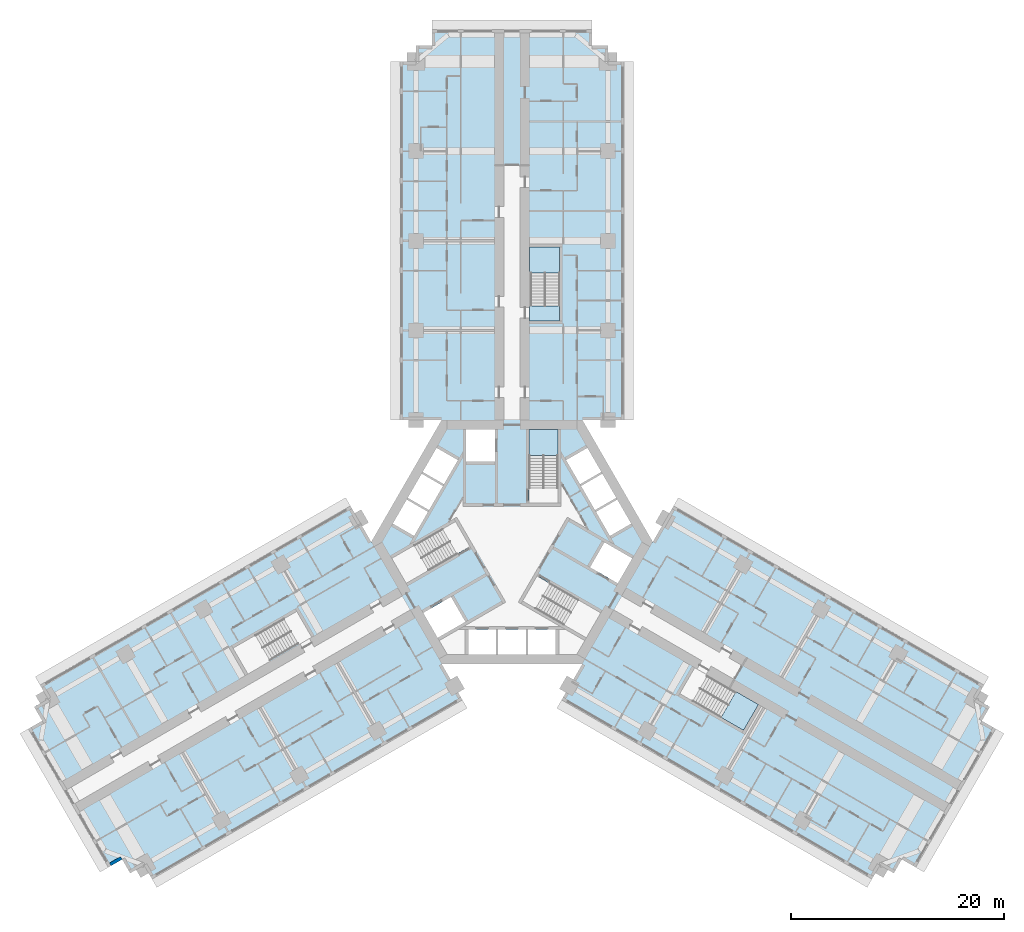
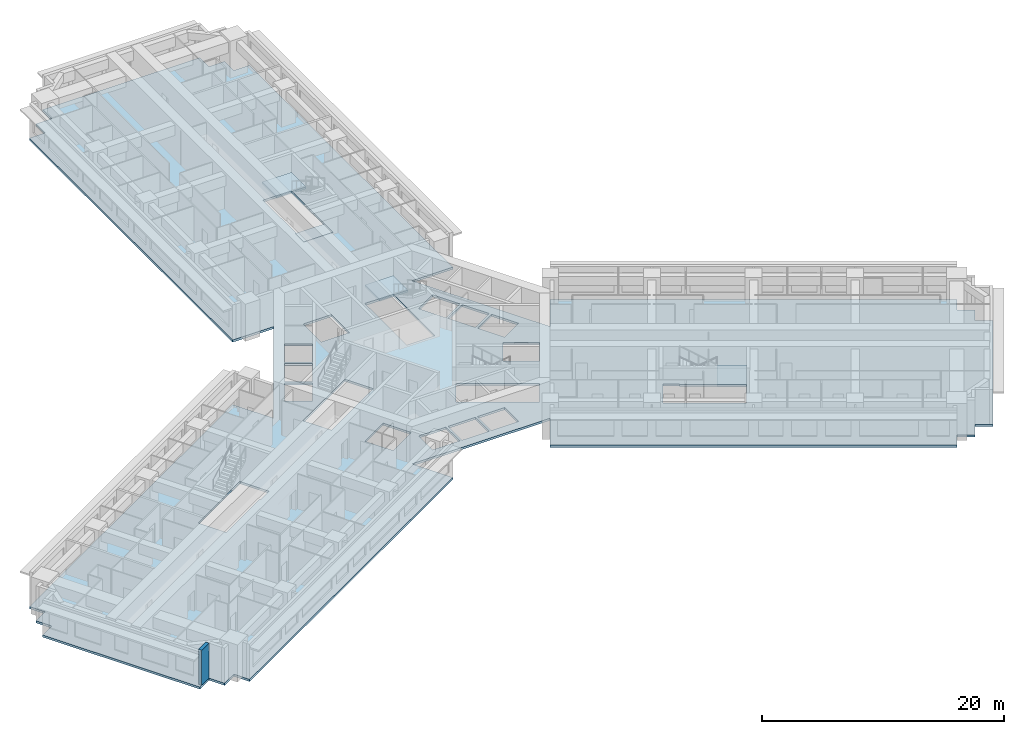
# One storey, part 2 of 15: 5 slabs, 1 wall, 3 elements without a shape of their own.
"""IFC4 building model written with IfcOpenShell, lengths in metres."""

from ifc_helpers import new_model, si_unit, direction, frame, frame_2d, origin, place, context, subcontext, project, spatial, polyline, rectangle, outline, extrude, material, layer, layer_set, type_object, element, aggregate, save


model = new_model("IFC4")

# Units and contexts
model_context = context("Model", 3, precision=1e-05, world=origin(), true_north=direction((0.0, 1.0)))
body_context = subcontext(model_context, "Body", "Model", "MODEL_VIEW")
ifc_project = project(units=[si_unit("LENGTHUNIT", "METRE"), si_unit("AREAUNIT", "SQUARE_METRE"), si_unit("VOLUMEUNIT", "CUBIC_METRE"), si_unit("PLANEANGLEUNIT", "RADIAN"), si_unit("MASSUNIT", "GRAM", prefix="KILO")], contexts=[model_context])

# Site, building, storey
site_placement = place(None, origin())
site = spatial("IfcSite", under=ifc_project, at=site_placement, CompositionType="ELEMENT")
building_placement = place(site_placement, origin())
building = spatial("IfcBuilding", under=site, at=building_placement, Name="Impinga Residences", CompositionType="ELEMENT")
storey_placement = place(building_placement, frame((0.0, 0.0, 82.25)))
storey = spatial("IfcBuildingStorey", under=building, at=storey_placement, Name="L20", CompositionType="ELEMENT", Elevation=82.25)

# Slab
ifc_material_1 = material(Name="Concrete C60/75", Category="concrete")
ifc_layer_1 = layer(ifc_material_1, 0.219970703125)
ifc_layer_set_1 = layer_set([ifc_layer_1], Name="Concrete C60/75")
slab_type_1 = type_object("IfcSlabType", Name="FS1 tower floor slab 220", PredefinedType="FLOOR", material=ifc_layer_set_1)
slab_1_placement = place(storey_placement, frame((0.0, 0.0, -0.219970703125)))
element("IfcSlab", 1, at=slab_1_placement, inside=storey, type_object=slab_type_1, Name="Floor slab FS1 L20", PredefinedType="FLOOR", context=body_context, shape_type="SweptSolid", body=[
    extrude(outline(polyline([(-34.49853515625, -30.31005859375), (-35.797607421875, -31.06005859375), (-36.547607421875, -29.760986328125), (-37.846435546875, -30.510986328125), (-45.346435546875, -17.5205078125), (-44.047607421875, -16.7705078125), (-44.797607421875, -15.471435546875), (-43.49853515625, -14.721435546875), (-44.24853515625, -13.422607421875), (-15.14990234375, 3.37744140625), (-13.199951171875, 0.0), (-6.60009765625, 11.431640625), (-10.5, 11.431640625), (-10.5, 45.031494140625), (-9.0, 45.031494140625), (-9.0, 46.531494140625), (-7.5, 46.531494140625), (-7.5, 48.031494140625), (7.5, 48.031494140625), (7.5, 46.531494140625), (9.0, 46.531494140625), (9.0, 45.031494140625), (10.5, 45.031494140625), (10.5, 11.431640625), (6.60009765625, 11.431640625), (13.199951171875, 0.0), (15.14990234375, 3.37744140625), (44.24853515625, -13.422607421875), (43.49853515625, -14.721435546875), (44.797607421875, -15.471435546875), (44.047607421875, -16.7705078125), (45.346435546875, -17.5205078125), (37.846435546875, -30.510986328125), (36.547607421875, -29.760986328125), (35.797607421875, -31.06005859375), (34.49853515625, -30.31005859375), (33.74853515625, -31.609130859375), (4.64990234375, -14.80908203125), (9.900146484375, -5.7158203125), (6.60009765625, -11.431640625), (-6.60009765625, -11.431640625), (-9.900146484375, -5.7158203125), (-4.64990234375, -14.80908203125), (-33.74853515625, -31.609130859375), (-34.49853515625, -30.31005859375)]), holes=[polyline([(-21.391357421875, -7.2119140625), (-26.154541015625, -9.9619140625), (-24.8046875, -12.30029296875), (-20.04150390625, -9.55029296875), (-19.991455078125, -9.63671875), (-18.779052734375, -8.936767578125), (-18.8291015625, -8.850341796875), (-18.8291015625, -8.850341796875), (-20.178955078125, -6.511962890625), (-21.391357421875, -7.2119140625), (-21.391357421875, -7.2119140625)]), polyline([(-1.5, -8.2314453125), (-4.10009765625, -8.2314453125), (-4.10009765625, -10.531494140625), (-1.5, -10.531494140625), (-1.5, -8.2314453125)]), polyline([(1.300048828125, -8.2314453125), (-1.300048828125, -8.2314453125), (-1.300048828125, -10.531494140625), (1.300048828125, -10.531494140625), (1.300048828125, -8.2314453125)]), polyline([(1.5, -8.2314453125), (1.5, -10.531494140625), (4.10009765625, -10.531494140625), (4.10009765625, -8.2314453125), (1.5, -8.2314453125)]), polyline([(-5.72119140625, -5.150634765625), (-8.320556640625, -6.6513671875), (-6.970458984375, -8.98974609375), (-4.37109375, -7.489013671875), (-5.72119140625, -5.150634765625)]), polyline([(-3.943603515625, -0.429443359375), (-5.293701171875, 1.908935546875), (-11.2705078125, -1.541748046875), (-9.920654296875, -3.880126953125), (-3.943603515625, -0.429443359375)]), polyline([(-9.1787109375, 0.56494140625), (-7.878662109375, 2.816650390625), (-9.87060546875, 3.966796875), (-11.170654296875, 1.715087890625), (-9.1787109375, 0.56494140625)]), polyline([(-6.478759765625, 5.24169921875), (-8.470458984375, 6.3916015625), (-9.7705078125, 4.139892578125), (-7.77880859375, 2.989990234375), (-6.478759765625, 5.24169921875)]), polyline([(-6.378662109375, 5.414794921875), (-5.07861328125, 7.66650390625), (-7.070556640625, 8.81640625), (-8.37060546875, 6.564697265625), (-6.378662109375, 5.414794921875)]), polyline([(-4.300048828125, 7.530029296875), (-1.60009765625, 7.530029296875), (-1.60009765625, 10.531494140625), (-4.300048828125, 10.531494140625), (-4.300048828125, 7.530029296875)]), polyline([(15.72900390625, -14.219482421875), (21.70458984375, -17.669677734375), (23.0546875, -15.331298828125), (18.29150390625, -12.581298828125), (18.341552734375, -12.49462890625), (17.129150390625, -11.794677734375), (15.72900390625, -14.219482421875)]), polyline([(0.99365234375, -5.538818359375), (6.970458984375, -8.98974609375), (8.320556640625, -6.6513671875), (2.34375, -3.20068359375), (0.99365234375, -5.538818359375)]), polyline([(8.671142578125, -0.041015625), (7.3212890625, -2.37939453125), (9.920654296875, -3.880126953125), (11.2705078125, -1.541748046875), (8.671142578125, -0.041015625)]), polyline([(7.878662109375, 2.816650390625), (9.1787109375, 0.56494140625), (11.170654296875, 1.715087890625), (9.87060546875, 3.966796875), (7.878662109375, 2.816650390625)]), polyline([(7.77880859375, 2.989990234375), (9.7705078125, 4.139892578125), (8.470458984375, 6.3916015625), (6.478759765625, 5.24169921875), (7.77880859375, 2.989990234375)]), polyline([(1.60009765625, 3.6298828125), (4.300048828125, 3.6298828125), (4.300048828125, 10.531494140625), (1.60009765625, 10.531494140625), (1.60009765625, 3.6298828125)]), polyline([(5.07861328125, 7.66650390625), (6.378662109375, 5.414794921875), (8.37060546875, 6.564697265625), (7.070556640625, 8.81640625), (5.07861328125, 7.66650390625)]), polyline([(1.75, 22.131591796875), (1.64990234375, 22.131591796875), (1.64990234375, 20.7314453125), (1.75, 20.7314453125), (4.449951171875, 20.7314453125), (4.449951171875, 22.131591796875), (4.449951171875, 27.631591796875), (1.75, 27.631591796875), (1.75, 22.131591796875)])]), origin(), (0.0, 0.0, 1.0), 0.219970703125),
])

# Stair, slab
ifc_material_2 = material(Name="Concrete C40/50", Category="concrete")
stair_type_1 = type_object("IfcStairType", Name="STR core stair 3750 storey, 24 risers", PredefinedType="HALF_TURN_STAIR", material=ifc_material_2)
stair_1_placement = place(storey_placement, origin())
stair_1 = element("IfcStair", 2, at=stair_1_placement, inside=storey, type_object=stair_type_1, Name="Stair ST1 L20", PredefinedType="HALF_TURN_STAIR")
ifc_layer_2 = layer(ifc_material_2, 0.199951171875)
ifc_layer_set_2 = layer_set([ifc_layer_2], Name="Concrete C40/50")
slab_type_2 = type_object("IfcSlabType", Name="LS1 stair landing 200", PredefinedType="LANDING", material=ifc_layer_set_2)
slab_2_placement = place(storey_placement, frame((0.0, 0.0, 1.675048828125)))
slab_2 = element("IfcSlab", 3, at=slab_2_placement, type_object=slab_type_2, Name="ST1 landing 2", PredefinedType="LANDING", context=body_context, shape_type="SweptSolid", body=[
    extrude(outline(polyline([(1.60009765625, 8.10009765625), (4.300048828125, 8.10009765625), (4.300048828125, 10.531494140625), (1.60009765625, 10.531494140625), (1.60009765625, 8.10009765625)])), origin(), (0.0, 0.0, 1.0), 0.199951171875),
])
aggregate(stair_1, [slab_2])

# Stair, slabs
stair_type_2 = type_object("IfcStairType", Name="STR wing stair 3750 storey, 24 risers", PredefinedType="HALF_TURN_STAIR", material=ifc_material_2)
stair_2_placement = place(storey_placement, origin())
stair_2 = element("IfcStair", 4, at=stair_2_placement, inside=storey, type_object=stair_type_2, Name="Stair WS1 L20", PredefinedType="HALF_TURN_STAIR")
slab_3_placement = place(storey_placement, frame((0.0, 0.0, -0.199951171875)))
slab_3 = element("IfcSlab", 5, at=slab_3_placement, type_object=slab_type_2, Name="WS1 landing 1", PredefinedType="LANDING", context=body_context, shape_type="SweptSolid", body=[
    extrude(outline(polyline([(1.64990234375, 20.7314453125), (4.449951171875, 20.7314453125), (4.449951171875, 22.1416015625), (1.64990234375, 22.1416015625), (1.64990234375, 20.7314453125)])), origin(), (0.0, 0.0, 1.0), 0.199951171875),
])
slab_4_placement = place(storey_placement, frame((0.0, 0.0, 1.675048828125)))
slab_4 = element("IfcSlab", 6, at=slab_4_placement, type_object=slab_type_2, Name="WS1 landing 2", PredefinedType="LANDING", context=body_context, shape_type="SweptSolid", body=[
    extrude(outline(polyline([(1.64990234375, 25.201416015625), (4.449951171875, 25.201416015625), (4.449951171875, 27.631591796875), (1.64990234375, 27.631591796875), (1.64990234375, 25.201416015625)])), origin(), (0.0, 0.0, 1.0), 0.199951171875),
])
aggregate(stair_2, [slab_3, slab_4])

# Stair, slab
stair_3_placement = place(storey_placement, origin())
stair_3 = element("IfcStair", 7, at=stair_3_placement, inside=storey, type_object=stair_type_2, Name="Stair WS3 L20", PredefinedType="HALF_TURN_STAIR")
slab_5_placement = place(storey_placement, frame((0.0, 0.0, 1.675048828125)))
slab_5 = element("IfcSlab", 8, at=slab_5_placement, type_object=slab_type_2, Name="WS3 landing 2", PredefinedType="LANDING", context=body_context, shape_type="SweptSolid", body=[
    extrude(outline(polyline([(21.000244140625, -14.02978515625), (19.60009765625, -16.45458984375), (21.70458984375, -17.669677734375), (23.1044921875, -15.24462890625), (21.000244140625, -14.02978515625)])), origin(), (0.0, 0.0, 1.0), 0.199951171875),
])
aggregate(stair_3, [slab_5])

# Wall
ifc_material_3 = material(Name="Terracotta rainscreen on blockwork", Category="masonry")
ifc_layer_3 = layer(ifc_material_3, 0.300048828125)
ifc_layer_set_3 = layer_set([ifc_layer_3], Name="EW1 external wall, terracotta rainscreen on blockwork 300")
wall_type = type_object("IfcWallType", Name="EW1 external wall, terracotta rainscreen on blockwork 300", PredefinedType="SOLIDWALL", material=ifc_layer_set_3)
wall_placement = place(storey_placement, frame((-36.626708984375, -29.633544921875, 0.0), z_axis=(0.0, 0.0, 1.0), x_axis=(-0.866059708757, -0.499940577336, 0.0)))
element("IfcWall", 9, at=wall_placement, inside=storey, type_object=wall_type, Name="External wall EW1 L20", PredefinedType="SOLIDWALL", context=body_context, shape_type="SweptSolid", body=[
    extrude(rectangle(XDim=1.195068359375, YDim=0.300048828125, at=frame_2d((0.59765625, 0.0))), origin(), (0.0, 0.0, 1.0), 3.530029296875),
])

save(model, "model.ifc")
